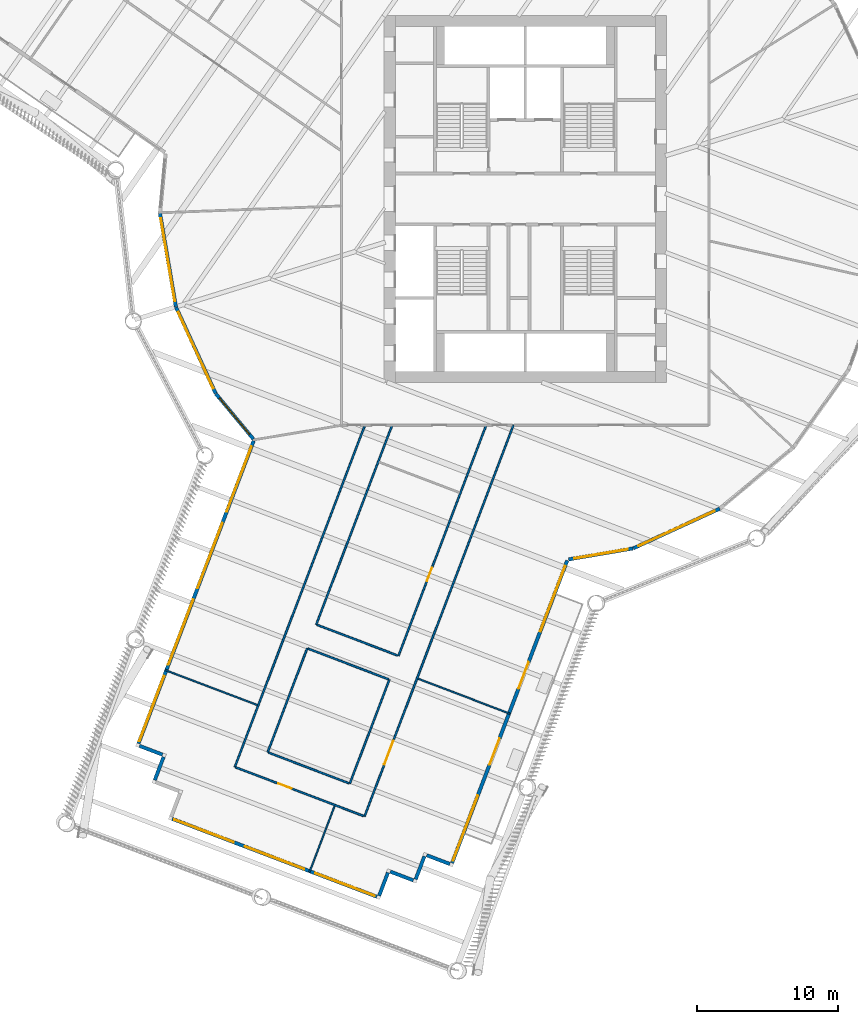
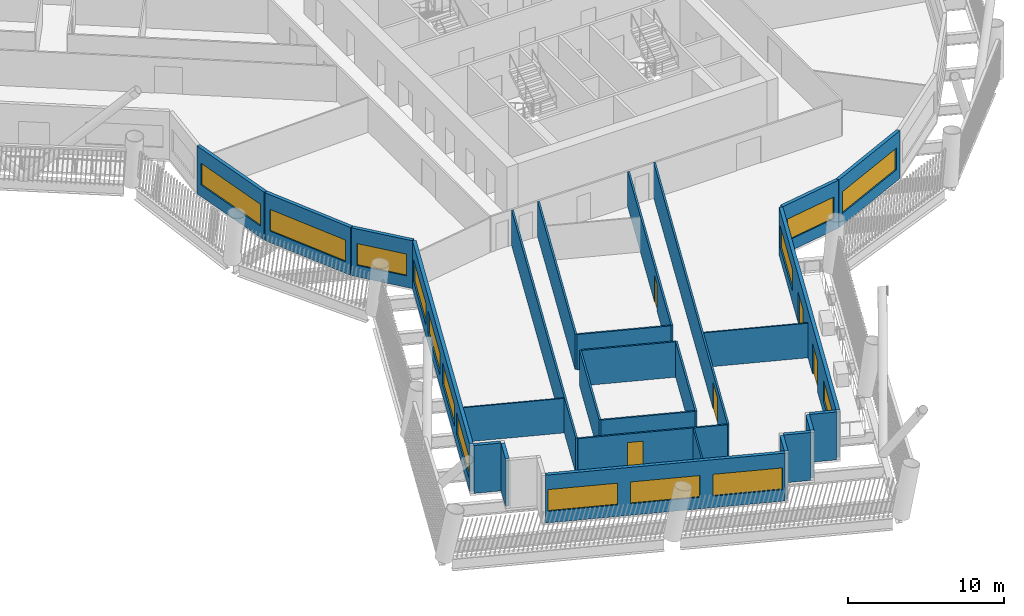
# One storey, part 3 of 23: 27 walls, 14 windows, 5 doors, 19 openings.
"""IFC4 building model written with IfcOpenShell, lengths in metres."""

from ifc_helpers import new_model, si_unit, direction, frame, frame_2d, origin, place, context, subcontext, project, spatial, rectangle, extrude, material, layer, layer_set, type_object, element, fill, save


model = new_model("IFC4")

# Units and contexts
model_context = context("Model", 3, precision=1e-05, world=origin(), true_north=direction((0.0, 1.0)))
body_context = subcontext(model_context, "Body", "Model", "MODEL_VIEW")
ifc_project = project(units=[si_unit("LENGTHUNIT", "METRE"), si_unit("AREAUNIT", "SQUARE_METRE"), si_unit("VOLUMEUNIT", "CUBIC_METRE"), si_unit("PLANEANGLEUNIT", "RADIAN"), si_unit("MASSUNIT", "GRAM", prefix="KILO")], contexts=[model_context])

# Site, building, storey
site_placement = place(None, origin())
site = spatial("IfcSite", under=ifc_project, at=site_placement, CompositionType="ELEMENT")
building_placement = place(site_placement, origin())
building = spatial("IfcBuilding", under=site, at=building_placement, Name="Tarsis Ring Headquarters", CompositionType="ELEMENT")
storey_placement = place(building_placement, frame((0.0, 0.0, 131.800048828125)))
storey = spatial("IfcBuildingStorey", under=building, at=storey_placement, Name="L30", CompositionType="ELEMENT", Elevation=131.800048828125)

# Walls
ifc_material_1 = material(Name="Gypsum board on steel studs", Category="steel")
ifc_layer_1 = layer(ifc_material_1, 0.10009765625)
ifc_layer_set_1 = layer_set([ifc_layer_1], Name="FL partition 100 unrated")
wall_type_1 = type_object("IfcWallType", Name="FL partition 100 unrated", PredefinedType="PARTITIONING", material=ifc_layer_set_1)
for number, where, z_axis, x_axis, name in (
    (1, (-7.591064453125, -33.939697265625, 0.0), (0.0, 0.0, 1.0), (0.934575931288, -0.355763725886, 0.0), "Partition PW3"),
    (2, (-25.473388671875, -33.327880859375, 0.0), (0.0, 0.0, 1.0), (0.934575931288, -0.355763725886, 0.0), "Partition PW3"),
):
    element("IfcWall", number, at=place(storey_placement, frame(where, z_axis=z_axis, x_axis=x_axis)), inside=storey, type_object=wall_type_1, Name=name, PredefinedType="PARTITIONING", context=body_context, shape_type="SweptSolid", body=[
        extrude(rectangle(XDim=6.97021484375, YDim=0.10009765625, at=frame_2d((3.485107421875, 0.0))), origin(), (0.0, 0.0, 1.0), 2.699951171875),
    ])
wall_1_placement = place(storey_placement, frame((-15.27490234375, -47.632080078125, 0.0), z_axis=(0.0, 0.0, 1.0), x_axis=(0.355770391959, 0.934573393697, 0.0)))
element("IfcWall", 3, at=wall_1_placement, inside=storey, type_object=wall_type_1, Name="Partition PW3", PredefinedType="PARTITIONING", context=body_context, shape_type="SweptSolid", body=[
    extrude(rectangle(XDim=5.01025390625, YDim=0.10009765625, at=frame_2d((2.505126953125, 0.0))), origin(), (0.0, 0.0, 1.0), 2.699951171875),
])

# Wall, opening, door
ifc_layer_2 = layer(ifc_material_1, 0.125)
ifc_layer_set_2 = layer_set([ifc_layer_2], Name="FL partition 125 EI 60 H2770")
wall_type_2 = type_object("IfcWallType", Name="FL partition 125 EI 60 H2770", PredefinedType="PARTITIONING", material=ifc_layer_set_2)
wall_2_placement = place(storey_placement, frame((-11.374267578125, -43.681396484375, 0.0), z_axis=(0.0, 0.0, 1.0), x_axis=(0.355761208712, 0.934576889494, 0.0)))
wall_2 = element("IfcWall", 4, at=wall_2_placement, inside=storey, type_object=wall_type_2, Name="Partition PW1", PredefinedType="PARTITIONING", context=body_context, shape_type="SweptSolid", body=[
    extrude(rectangle(XDim=29.619140625, YDim=0.125, at=frame_2d((14.8095703125, 0.0))), origin(), (0.0, 0.0, 1.0), 2.77001953125),
])
opening_1_placement = place(wall_2_placement, frame((3.93505859375, 0.0, 0.0)))
opening_1 = element("IfcOpeningElement", 5, at=opening_1_placement, cuts=wall_2, Name="Opening D30.10", PredefinedType="OPENING", context=body_context, shape_type="SweptSolid", body=[
    extrude(rectangle(XDim=1.800048828125, YDim=2.10009765625, at=frame_2d((0.89990234375, 1.050048828125))), frame((0.0, 0.072509765625, 0.0), z_axis=(0.0, -1.0, 0.0), x_axis=(1.0, 0.0, 0.0)), (0.0, 0.0, 1.0), 0.14501953125),
])
ifc_material_2 = material(Name="Fire-rated timber door leaf in steel frame", Category="steel")
door_type_1 = type_object("IfcDoorType", Name="FL door FD60-1800", OperationType="DOUBLE_DOOR_SINGLE_SWING", PredefinedType="DOOR", material=ifc_material_2)
door_1_placement = place(opening_1_placement, origin())
door_1 = element("IfcDoor", 6, at=door_1_placement, inside=storey, type_object=door_type_1, Name="Door D30.10", OperationType="DOUBLE_DOOR_SINGLE_SWING", OverallHeight=2.10009765625, OverallWidth=1.800048828125, PredefinedType="DOOR", context=body_context, shape_type="SweptSolid", body=[
    extrude(rectangle(XDim=1.800048828125, YDim=2.10009765625, at=frame_2d((0.89990234375, 1.050048828125))), frame((0.0, 0.02490234375, 0.0), z_axis=(0.0, -1.0, 0.0), x_axis=(1.0, 0.0, 0.0)), (0.0, 0.0, 1.0), 0.050048828125),
])
fill(opening_1, door_1)

# Wall
wall_3_placement = place(storey_placement, frame((-20.5517578125, -40.187744140625, 0.0), z_axis=(0.0, 0.0, 1.0), x_axis=(0.355759617021, 0.934577495394, 0.0)))
element("IfcWall", 7, at=wall_3_placement, inside=storey, type_object=wall_type_2, Name="Partition PW1", PredefinedType="PARTITIONING", context=body_context, shape_type="SweptSolid", body=[
    extrude(rectangle(XDim=25.801025390625, YDim=0.125, at=frame_2d((12.900390625, 0.0))), origin(), (0.0, 0.0, 1.0), 2.77001953125),
])

# Wall, opening, door
wall_4_placement = place(storey_placement, frame((-8.975830078125, -32.3212890625, 0.0), z_axis=(0.0, 0.0, 1.0), x_axis=(0.355751781997, 0.934580477865, 0.0)))
wall_4 = element("IfcWall", 8, at=wall_4_placement, inside=storey, type_object=wall_type_2, Name="Partition PW1", PredefinedType="PARTITIONING", context=body_context, shape_type="SweptSolid", body=[
    extrude(rectangle(XDim=17.3837890625, YDim=0.125, at=frame_2d((8.69189453125, 0.0))), origin(), (0.0, 0.0, 1.0), 2.77001953125),
])
opening_2_placement = place(wall_4_placement, frame((5.6640625, 0.0, 0.0)))
opening_2 = element("IfcOpeningElement", 9, at=opening_2_placement, cuts=wall_4, Name="Opening D30.18", PredefinedType="OPENING", context=body_context, shape_type="SweptSolid", body=[
    extrude(rectangle(XDim=1.0, YDim=2.10009765625, at=frame_2d((0.5, 1.050048828125))), frame((0.0, 0.072509765625, 0.0), z_axis=(0.0, -1.0, 0.0), x_axis=(1.0, 0.0, 0.0)), (0.0, 0.0, 1.0), 0.14501953125),
])
door_type_2 = type_object("IfcDoorType", Name="FL door FD60-1000", OperationType="NOTDEFINED", PredefinedType="DOOR", material=ifc_material_2)
door_2_placement = place(opening_2_placement, origin())
door_2 = element("IfcDoor", 10, at=door_2_placement, inside=storey, type_object=door_type_2, Name="Door D30.18", OperationType="SINGLE_SWING_RIGHT", OverallHeight=2.10009765625, OverallWidth=1.0, PredefinedType="DOOR", context=body_context, shape_type="SweptSolid", body=[
    extrude(rectangle(XDim=1.0, YDim=2.10009765625, at=frame_2d((0.5, 1.050048828125))), frame((0.0, 0.02490234375, 0.0), z_axis=(0.0, -1.0, 0.0), x_axis=(1.0, 0.0, 0.0)), (0.0, 0.0, 1.0), 0.050048828125),
])
fill(opening_2, door_2)

# Wall
wall_5_placement = place(storey_placement, frame((-14.788818359375, -30.1083984375, 0.0), z_axis=(0.0, 0.0, 1.0), x_axis=(0.35575529969, 0.934579138833, 0.0)))
element("IfcWall", 11, at=wall_5_placement, inside=storey, type_object=wall_type_2, Name="Partition PW1", PredefinedType="PARTITIONING", context=body_context, shape_type="SweptSolid", body=[
    extrude(rectangle(XDim=15.01611328125, YDim=0.125, at=frame_2d((7.508056640625, 0.0))), origin(), (0.0, 0.0, 1.0), 2.77001953125),
])

# Wall, opening, door
wall_6_placement = place(storey_placement, frame((-20.49560546875, -40.208984375, 0.0), z_axis=(0.0, 0.0, 1.0), x_axis=(0.934575822771, -0.355764010957, 0.0)))
wall_6 = element("IfcWall", 12, at=wall_6_placement, inside=storey, type_object=wall_type_2, Name="Partition PW1", PredefinedType="PARTITIONING", context=body_context, shape_type="SweptSolid", body=[
    extrude(rectangle(XDim=9.699951171875, YDim=0.125, at=frame_2d((4.85009765625, 0.0))), origin(), (0.0, 0.0, 1.0), 2.77001953125),
])
opening_3_placement = place(wall_6_placement, frame((3.228271484375, 0.0, 0.0)))
opening_3 = element("IfcOpeningElement", 13, at=opening_3_placement, cuts=wall_6, Name="Opening D30.11", PredefinedType="OPENING", context=body_context, shape_type="SweptSolid", body=[
    extrude(rectangle(XDim=1.0, YDim=2.10009765625, at=frame_2d((0.5, 1.050048828125))), frame((0.0, 0.072509765625, 0.0), z_axis=(0.0, -1.0, 0.0), x_axis=(1.0, 0.0, 0.0)), (0.0, 0.0, 1.0), 0.14501953125),
])
door_3_placement = place(opening_3_placement, origin())
door_3 = element("IfcDoor", 14, at=door_3_placement, inside=storey, type_object=door_type_2, Name="Door D30.11", OperationType="SINGLE_SWING_LEFT", OverallHeight=2.10009765625, OverallWidth=1.0, PredefinedType="DOOR", context=body_context, shape_type="SweptSolid", body=[
    extrude(rectangle(XDim=1.0, YDim=2.10009765625, at=frame_2d((0.5, 1.050048828125))), frame((0.0, 0.02490234375, 0.0), z_axis=(0.0, -1.0, 0.0), x_axis=(1.0, 0.0, 0.0)), (0.0, 0.0, 1.0), 0.050048828125),
])
fill(opening_3, door_3)

# Walls
wall_7_placement = place(storey_placement, frame((-18.22900390625, -39.145751953125, 0.0), z_axis=(0.0, 0.0, 1.0), x_axis=(0.355763110487, 0.934576165551, 0.0)))
element("IfcWall", 15, at=wall_7_placement, inside=storey, type_object=wall_type_2, Name="Partition PW1", PredefinedType="PARTITIONING", context=body_context, shape_type="SweptSolid", body=[
    extrude(rectangle(XDim=7.869873046875, YDim=0.125, at=frame_2d((3.93505859375, 0.0))), origin(), (0.0, 0.0, 1.0), 2.77001953125),
])
wall_8_placement = place(storey_placement, frame((-12.416015625, -41.358642578125, 0.0), z_axis=(0.0, 0.0, 1.0), x_axis=(0.355752796249, 0.934580091785, 0.0)))
element("IfcWall", 16, at=wall_8_placement, inside=storey, type_object=wall_type_2, Name="Partition PW1", PredefinedType="PARTITIONING", context=body_context, shape_type="SweptSolid", body=[
    extrude(rectangle(XDim=7.8701171875, YDim=0.125, at=frame_2d((3.93505859375, 0.0))), origin(), (0.0, 0.0, 1.0), 2.77001953125),
])
for number, where, z_axis, x_axis, name in (
    (17, (-15.373291015625, -31.81201171875, 0.0), (0.0, 0.0, 1.0), (0.934575836031, -0.355763976124, 0.0), "Partition PW1"),
    (18, (-14.73291015625, -30.1298828125, 0.0), (0.0, 0.0, 1.0), (0.934575836031, -0.355763976124, 0.0), "Partition PW1"),
    (19, (-18.173095703125, -39.167236328125, 0.0), (0.0, 0.0, 1.0), (0.934575836031, -0.355763976124, 0.0), "Partition PW1"),
):
    element("IfcWall", number, at=place(storey_placement, frame(where, z_axis=z_axis, x_axis=x_axis)), inside=storey, type_object=wall_type_2, Name=name, PredefinedType="PARTITIONING", context=body_context, shape_type="SweptSolid", body=[
        extrude(rectangle(XDim=6.10009765625, YDim=0.125, at=frame_2d((3.050048828125, 0.0))), origin(), (0.0, 0.0, 1.0), 2.77001953125),
    ])

# Wall, opening, window
ifc_material_3 = material(Name="Terracotta clad insulated panel wall", Category="masonry")
ifc_layer_3 = layer(ifc_material_3, 0.25)
ifc_layer_set_3 = layer_set([ifc_layer_3], Name="Facade wall terracotta panel 250")
wall_type_3 = type_object("IfcWallType", Name="Facade wall terracotta panel 250", PredefinedType="STANDARD", material=ifc_layer_set_3)
wall_9_placement = place(storey_placement, frame((-25.852783203125, -0.991455078125, 0.0), z_axis=(0.0, 0.0, 1.0), x_axis=(0.167808360666, -0.985819635679, 0.0)))
wall_9 = element("IfcWall", 20, at=wall_9_placement, inside=storey, type_object=wall_type_3, Name="External wall L30-03", PredefinedType="STANDARD", context=body_context, shape_type="SweptSolid", body=[
    extrude(rectangle(XDim=6.721435546875, YDim=0.25, at=frame_2d((3.36083984375, 0.0))), origin(), (0.0, 0.0, 1.0), 3.739990234375),
])
opening_4_placement = place(wall_9_placement, frame((0.3857421875, 0.0, 0.89990234375)))
opening_4 = element("IfcOpeningElement", 21, at=opening_4_placement, cuts=wall_9, Name="Opening WN07", PredefinedType="OPENING", context=body_context, shape_type="SweptSolid", body=[
    extrude(rectangle(XDim=5.949951171875, YDim=1.699951171875, at=frame_2d((2.97509765625, 0.85009765625))), frame((0.0, 0.135009765625, 0.0), z_axis=(0.0, -1.0, 0.0), x_axis=(1.0, 0.0, 0.0)), (0.0, 0.0, 1.0), 0.27001953125),
])
ifc_material_4 = material(Name="Aluminium framed double glazing", Category="aluminium")
window_type_1 = type_object("IfcWindowType", Name="Facade window 5950 x 1700", PartitioningType="SINGLE_PANEL", PredefinedType="WINDOW", material=ifc_material_4)
window_1_placement = place(opening_4_placement, origin())
window_1 = element("IfcWindow", 22, at=window_1_placement, inside=storey, type_object=window_type_1, Name="Window L30-03.1", OverallHeight=1.699951171875, OverallWidth=5.949951171875, PartitioningType="SINGLE_PANEL", PredefinedType="WINDOW", context=body_context, shape_type="SweptSolid", body=[
    extrude(rectangle(XDim=5.949951171875, YDim=1.699951171875, at=frame_2d((2.97509765625, 0.85009765625))), frame((0.0, 0.030029296875, 0.0), z_axis=(0.0, -1.0, 0.0), x_axis=(1.0, 0.0, 0.0)), (0.0, 0.0, 1.0), 0.06005859375),
])
fill(opening_4, window_1)

wall_10_placement = place(storey_placement, frame((-24.71533203125, -7.64892578125, 0.0), z_axis=(0.0, 0.0, 1.0), x_axis=(0.417239957903, -0.908796356468, 0.0)))
wall_10 = element("IfcWall", 23, at=wall_10_placement, inside=storey, type_object=wall_type_3, Name="External wall L30-04", PredefinedType="STANDARD", context=body_context, shape_type="SweptSolid", body=[
    extrude(rectangle(XDim=6.721435546875, YDim=0.25, at=frame_2d((3.36083984375, 0.0))), origin(), (0.0, 0.0, 1.0), 3.739990234375),
])
opening_5_placement = place(wall_10_placement, frame((0.3857421875, 0.0, 0.89990234375)))
opening_5 = element("IfcOpeningElement", 24, at=opening_5_placement, cuts=wall_10, Name="Opening WN07", PredefinedType="OPENING", context=body_context, shape_type="SweptSolid", body=[
    extrude(rectangle(XDim=5.949951171875, YDim=1.699951171875, at=frame_2d((2.97509765625, 0.85009765625))), frame((0.0, 0.135009765625, 0.0), z_axis=(0.0, -1.0, 0.0), x_axis=(1.0, 0.0, 0.0)), (0.0, 0.0, 1.0), 0.27001953125),
])
window_2_placement = place(opening_5_placement, origin())
window_2 = element("IfcWindow", 25, at=window_2_placement, inside=storey, type_object=window_type_1, Name="Window L30-04.1", OverallHeight=1.699951171875, OverallWidth=5.949951171875, PartitioningType="SINGLE_PANEL", PredefinedType="WINDOW", context=body_context, shape_type="SweptSolid", body=[
    extrude(rectangle(XDim=5.949951171875, YDim=1.699951171875, at=frame_2d((2.97509765625, 0.85009765625))), frame((0.0, 0.030029296875, 0.0), z_axis=(0.0, -1.0, 0.0), x_axis=(1.0, 0.0, 0.0)), (0.0, 0.0, 1.0), 0.06005859375),
])
fill(opening_5, window_2)

wall_11_placement = place(storey_placement, frame((-21.8935546875, -13.784912109375, 0.0), z_axis=(0.0, 0.0, 1.0), x_axis=(0.638241666515, -0.769836070293, 0.0)))
wall_11 = element("IfcWall", 26, at=wall_11_placement, inside=storey, type_object=wall_type_3, Name="External wall L30-05", PredefinedType="STANDARD", context=body_context, shape_type="SweptSolid", body=[
    extrude(rectangle(XDim=4.15771484375, YDim=0.25, at=frame_2d((2.078857421875, 0.0))), origin(), (0.0, 0.0, 1.0), 3.739990234375),
])
opening_6_placement = place(wall_11_placement, frame((0.38720703125, 0.0, 0.89990234375)))
opening_6 = element("IfcOpeningElement", 27, at=opening_6_placement, cuts=wall_11, Name="Opening WN01", PredefinedType="OPENING", context=body_context, shape_type="SweptSolid", body=[
    extrude(rectangle(XDim=3.35009765625, YDim=1.699951171875, at=frame_2d((1.675048828125, 0.85009765625))), frame((0.0, 0.135009765625, 0.0), z_axis=(0.0, -1.0, 0.0), x_axis=(1.0, 0.0, 0.0)), (0.0, 0.0, 1.0), 0.27001953125),
])
window_type_2 = type_object("IfcWindowType", Name="Facade window 3350 x 1700", PartitioningType="SINGLE_PANEL", PredefinedType="WINDOW", material=ifc_material_4)
window_3_placement = place(opening_6_placement, origin())
window_3 = element("IfcWindow", 28, at=window_3_placement, inside=storey, type_object=window_type_2, Name="Window L30-05.1", OverallHeight=1.699951171875, OverallWidth=3.35009765625, PartitioningType="SINGLE_PANEL", PredefinedType="WINDOW", context=body_context, shape_type="SweptSolid", body=[
    extrude(rectangle(XDim=3.35009765625, YDim=1.699951171875, at=frame_2d((1.675048828125, 0.85009765625))), frame((0.0, 0.030029296875, 0.0), z_axis=(0.0, -1.0, 0.0), x_axis=(1.0, 0.0, 0.0)), (0.0, 0.0, 1.0), 0.06005859375),
])
fill(opening_6, window_3)

# Wall, openings, windows
wall_12_placement = place(storey_placement, frame((-19.219482421875, -17.10986328125, 0.0), z_axis=(0.0, 0.0, 1.0), x_axis=(-0.355753042974, -0.934579997868, 0.0)))
wall_12 = element("IfcWall", 29, at=wall_12_placement, inside=storey, type_object=wall_type_3, Name="External wall L30-06", PredefinedType="STANDARD", context=body_context, shape_type="SweptSolid", body=[
    extrude(rectangle(XDim=22.921875, YDim=0.25, at=frame_2d((11.4609375, 0.0))), origin(), (0.0, 0.0, 1.0), 3.739990234375),
])
opening_7_placement = place(wall_12_placement, frame((0.42138671875, 0.0, 0.89990234375)))
opening_7 = element("IfcOpeningElement", 30, at=opening_7_placement, cuts=wall_12, Name="Opening WN05", PredefinedType="OPENING", context=body_context, shape_type="SweptSolid", body=[
    extrude(rectangle(XDim=4.949951171875, YDim=1.699951171875, at=frame_2d((2.47509765625, 0.85009765625))), frame((0.0, 0.135009765625, 0.0), z_axis=(0.0, -1.0, 0.0), x_axis=(1.0, 0.0, 0.0)), (0.0, 0.0, 1.0), 0.27001953125),
])
opening_8_placement = place(wall_12_placement, frame((6.214599609375, 0.0, 0.89990234375)))
opening_8 = element("IfcOpeningElement", 31, at=opening_8_placement, cuts=wall_12, Name="Opening WN05", PredefinedType="OPENING", context=body_context, shape_type="SweptSolid", body=[
    extrude(rectangle(XDim=4.949951171875, YDim=1.699951171875, at=frame_2d((2.47509765625, 0.85009765625))), frame((0.0, 0.135009765625, 0.0), z_axis=(0.0, -1.0, 0.0), x_axis=(1.0, 0.0, 0.0)), (0.0, 0.0, 1.0), 0.27001953125),
])
opening_9_placement = place(wall_12_placement, frame((12.007568359375, 0.0, 0.89990234375)))
opening_9 = element("IfcOpeningElement", 32, at=opening_9_placement, cuts=wall_12, Name="Opening WN05", PredefinedType="OPENING", context=body_context, shape_type="SweptSolid", body=[
    extrude(rectangle(XDim=4.949951171875, YDim=1.699951171875, at=frame_2d((2.47509765625, 0.85009765625))), frame((0.0, 0.135009765625, 0.0), z_axis=(0.0, -1.0, 0.0), x_axis=(1.0, 0.0, 0.0)), (0.0, 0.0, 1.0), 0.27001953125),
])
opening_10_placement = place(wall_12_placement, frame((17.800537109375, 0.0, 0.89990234375)))
opening_10 = element("IfcOpeningElement", 33, at=opening_10_placement, cuts=wall_12, Name="Opening WN05", PredefinedType="OPENING", context=body_context, shape_type="SweptSolid", body=[
    extrude(rectangle(XDim=4.949951171875, YDim=1.699951171875, at=frame_2d((2.47509765625, 0.85009765625))), frame((0.0, 0.135009765625, 0.0), z_axis=(0.0, -1.0, 0.0), x_axis=(1.0, 0.0, 0.0)), (0.0, 0.0, 1.0), 0.27001953125),
])
window_type_3 = type_object("IfcWindowType", Name="Facade window 4950 x 1700", PartitioningType="SINGLE_PANEL", PredefinedType="WINDOW", material=ifc_material_4)
window_4_placement = place(opening_7_placement, origin())
window_4 = element("IfcWindow", 34, at=window_4_placement, inside=storey, type_object=window_type_3, Name="Window L30-06.1", OverallHeight=1.699951171875, OverallWidth=4.949951171875, PartitioningType="SINGLE_PANEL", PredefinedType="WINDOW", context=body_context, shape_type="SweptSolid", body=[
    extrude(rectangle(XDim=4.949951171875, YDim=1.699951171875, at=frame_2d((2.47509765625, 0.85009765625))), frame((0.0, 0.030029296875, 0.0), z_axis=(0.0, -1.0, 0.0), x_axis=(1.0, 0.0, 0.0)), (0.0, 0.0, 1.0), 0.06005859375),
])
fill(opening_7, window_4)
window_5_placement = place(opening_8_placement, origin())
window_5 = element("IfcWindow", 35, at=window_5_placement, inside=storey, type_object=window_type_3, Name="Window L30-06.2", OverallHeight=1.699951171875, OverallWidth=4.949951171875, PartitioningType="SINGLE_PANEL", PredefinedType="WINDOW", context=body_context, shape_type="SweptSolid", body=[
    extrude(rectangle(XDim=4.949951171875, YDim=1.699951171875, at=frame_2d((2.47509765625, 0.85009765625))), frame((0.0, 0.030029296875, 0.0), z_axis=(0.0, -1.0, 0.0), x_axis=(1.0, 0.0, 0.0)), (0.0, 0.0, 1.0), 0.06005859375),
])
fill(opening_8, window_5)
window_6_placement = place(opening_9_placement, origin())
window_6 = element("IfcWindow", 36, at=window_6_placement, inside=storey, type_object=window_type_3, Name="Window L30-06.3", OverallHeight=1.699951171875, OverallWidth=4.949951171875, PartitioningType="SINGLE_PANEL", PredefinedType="WINDOW", context=body_context, shape_type="SweptSolid", body=[
    extrude(rectangle(XDim=4.949951171875, YDim=1.699951171875, at=frame_2d((2.47509765625, 0.85009765625))), frame((0.0, 0.030029296875, 0.0), z_axis=(0.0, -1.0, 0.0), x_axis=(1.0, 0.0, 0.0)), (0.0, 0.0, 1.0), 0.06005859375),
])
fill(opening_9, window_6)
window_7_placement = place(opening_10_placement, origin())
window_7 = element("IfcWindow", 37, at=window_7_placement, inside=storey, type_object=window_type_3, Name="Window L30-06.4", OverallHeight=1.699951171875, OverallWidth=4.949951171875, PartitioningType="SINGLE_PANEL", PredefinedType="WINDOW", context=body_context, shape_type="SweptSolid", body=[
    extrude(rectangle(XDim=4.949951171875, YDim=1.699951171875, at=frame_2d((2.47509765625, 0.85009765625))), frame((0.0, 0.030029296875, 0.0), z_axis=(0.0, -1.0, 0.0), x_axis=(1.0, 0.0, 0.0)), (0.0, 0.0, 1.0), 0.06005859375),
])
fill(opening_10, window_7)

# Walls
for number, where, z_axis, x_axis, name in (
    (38, (-27.3017578125, -38.693603515625, 0.0), (0.0, 0.0, 1.0), (0.934580525959, -0.35575165565, 0.0), "External wall L30-07"),
    (39, (-25.593994140625, -39.4775390625, 0.0), (0.0, 0.0, 1.0), (-0.35575165565, -0.934580525959, 0.0), "External wall L30-08"),
):
    element("IfcWall", number, at=place(storey_placement, frame(where, z_axis=z_axis, x_axis=x_axis)), inside=storey, type_object=wall_type_3, Name=name, PredefinedType="STANDARD", context=body_context, shape_type="SweptSolid", body=[
        extrude(rectangle(XDim=1.75, YDim=0.25, at=frame_2d((0.875, 0.0))), origin(), (0.0, 0.0, 1.0), 3.739990234375),
    ])

# Wall, openings, windows
wall_13_placement = place(storey_placement, frame((-24.986572265625, -43.85498046875, 0.0), z_axis=(0.0, 0.0, 1.0), x_axis=(0.934581023142, -0.355750349519, 0.0)))
wall_13 = element("IfcWall", 40, at=wall_13_placement, inside=storey, type_object=wall_type_3, Name="External wall L30-11", PredefinedType="STANDARD", context=body_context, shape_type="SweptSolid", body=[
    extrude(rectangle(XDim=15.5, YDim=0.25, at=frame_2d((7.75, 0.0))), origin(), (0.0, 0.0, 1.0), 3.739990234375),
])
opening_11_placement = place(wall_13_placement, frame((0.166748046875, 0.0, 0.89990234375)))
opening_11 = element("IfcOpeningElement", 41, at=opening_11_placement, cuts=wall_13, Name="Opening WN04", PredefinedType="OPENING", context=body_context, shape_type="SweptSolid", body=[
    extrude(rectangle(XDim=4.5, YDim=1.699951171875, at=frame_2d((2.25, 0.85009765625))), frame((0.0, 0.135009765625, 0.0), z_axis=(0.0, -1.0, 0.0), x_axis=(1.0, 0.0, 0.0)), (0.0, 0.0, 1.0), 0.27001953125),
])
opening_12_placement = place(wall_13_placement, frame((5.5, 0.0, 0.89990234375)))
opening_12 = element("IfcOpeningElement", 42, at=opening_12_placement, cuts=wall_13, Name="Opening WN04", PredefinedType="OPENING", context=body_context, shape_type="SweptSolid", body=[
    extrude(rectangle(XDim=4.5, YDim=1.699951171875, at=frame_2d((2.25, 0.85009765625))), frame((0.0, 0.135009765625, 0.0), z_axis=(0.0, -1.0, 0.0), x_axis=(1.0, 0.0, 0.0)), (0.0, 0.0, 1.0), 0.27001953125),
])
opening_13_placement = place(wall_13_placement, frame((10.833251953125, 0.0, 0.89990234375)))
opening_13 = element("IfcOpeningElement", 43, at=opening_13_placement, cuts=wall_13, Name="Opening WN04", PredefinedType="OPENING", context=body_context, shape_type="SweptSolid", body=[
    extrude(rectangle(XDim=4.5, YDim=1.699951171875, at=frame_2d((2.25, 0.85009765625))), frame((0.0, 0.135009765625, 0.0), z_axis=(0.0, -1.0, 0.0), x_axis=(1.0, 0.0, 0.0)), (0.0, 0.0, 1.0), 0.27001953125),
])
window_type_4 = type_object("IfcWindowType", Name="Facade window 4500 x 1700", PartitioningType="SINGLE_PANEL", PredefinedType="WINDOW", material=ifc_material_4)
window_8_placement = place(opening_11_placement, origin())
window_8 = element("IfcWindow", 44, at=window_8_placement, inside=storey, type_object=window_type_4, Name="Window L30-11.1", OverallHeight=1.699951171875, OverallWidth=4.5, PartitioningType="SINGLE_PANEL", PredefinedType="WINDOW", context=body_context, shape_type="SweptSolid", body=[
    extrude(rectangle(XDim=4.5, YDim=1.699951171875, at=frame_2d((2.25, 0.85009765625))), frame((0.0, 0.030029296875, 0.0), z_axis=(0.0, -1.0, 0.0), x_axis=(1.0, 0.0, 0.0)), (0.0, 0.0, 1.0), 0.06005859375),
])
fill(opening_11, window_8)
window_9_placement = place(opening_12_placement, origin())
window_9 = element("IfcWindow", 45, at=window_9_placement, inside=storey, type_object=window_type_4, Name="Window L30-11.2", OverallHeight=1.699951171875, OverallWidth=4.5, PartitioningType="SINGLE_PANEL", PredefinedType="WINDOW", context=body_context, shape_type="SweptSolid", body=[
    extrude(rectangle(XDim=4.5, YDim=1.699951171875, at=frame_2d((2.25, 0.85009765625))), frame((0.0, 0.030029296875, 0.0), z_axis=(0.0, -1.0, 0.0), x_axis=(1.0, 0.0, 0.0)), (0.0, 0.0, 1.0), 0.06005859375),
])
fill(opening_12, window_9)
window_10_placement = place(opening_13_placement, origin())
window_10 = element("IfcWindow", 46, at=window_10_placement, inside=storey, type_object=window_type_4, Name="Window L30-11.3", OverallHeight=1.699951171875, OverallWidth=4.5, PartitioningType="SINGLE_PANEL", PredefinedType="WINDOW", context=body_context, shape_type="SweptSolid", body=[
    extrude(rectangle(XDim=4.5, YDim=1.699951171875, at=frame_2d((2.25, 0.85009765625))), frame((0.0, 0.030029296875, 0.0), z_axis=(0.0, -1.0, 0.0), x_axis=(1.0, 0.0, 0.0)), (0.0, 0.0, 1.0), 0.06005859375),
])
fill(opening_13, window_10)

# Walls
for number, where, z_axis, x_axis, name in (
    (47, (-10.33935546875, -49.296875, 0.0), (0.0, 0.0, 1.0), (0.355873500694, 0.934534136083, 0.0), "External wall L30-12"),
    (48, (-9.555419921875, -47.5888671875, 0.0), (0.0, 0.0, 1.0), (0.934534136083, -0.355873500694, 0.0), "External wall L30-13"),
    (49, (-7.758544921875, -48.13916015625, 0.0), (0.0, 0.0, 1.0), (0.35575165565, 0.934580525959, 0.0), "External wall L30-14"),
    (50, (-6.974609375, -46.431396484375, 0.0), (0.0, 0.0, 1.0), (0.934580525959, -0.35575165565, 0.0), "External wall L30-15"),
):
    element("IfcWall", number, at=place(storey_placement, frame(where, z_axis=z_axis, x_axis=x_axis)), inside=storey, type_object=wall_type_3, Name=name, PredefinedType="STANDARD", context=body_context, shape_type="SweptSolid", body=[
        extrude(rectangle(XDim=1.75, YDim=0.25, at=frame_2d((0.875, 0.0))), origin(), (0.0, 0.0, 1.0), 3.739990234375),
    ])

# Wall, openings, doors, windows
wall_14_placement = place(storey_placement, frame((-5.177978515625, -46.9814453125, 0.0), z_axis=(0.0, 0.0, 1.0), x_axis=(0.355766567235, 0.934574849671, 0.0)))
wall_14 = element("IfcWall", 51, at=wall_14_placement, inside=storey, type_object=wall_type_3, Name="External wall L30-16", PredefinedType="STANDARD", context=body_context, shape_type="SweptSolid", body=[
    extrude(rectangle(XDim=22.901123046875, YDim=0.25, at=frame_2d((11.45068359375, 0.0))), origin(), (0.0, 0.0, 1.0), 3.739990234375),
])
opening_14_placement = place(wall_14_placement, frame((0.1689453125, 0.0, 0.89990234375)))
opening_14 = element("IfcOpeningElement", 52, at=opening_14_placement, cuts=wall_14, Name="Opening WN05", PredefinedType="OPENING", context=body_context, shape_type="SweptSolid", body=[
    extrude(rectangle(XDim=4.949951171875, YDim=1.699951171875, at=frame_2d((2.47509765625, 0.85009765625))), frame((0.0, 0.135009765625, 0.0), z_axis=(0.0, -1.0, 0.0), x_axis=(1.0, 0.0, 0.0)), (0.0, 0.0, 1.0), 0.27001953125),
])
opening_15_placement = place(wall_14_placement, frame((7.431640625, 0.0, 0.0)))
opening_15 = element("IfcOpeningElement", 53, at=opening_15_placement, cuts=wall_14, Name="Opening L30-BD03", PredefinedType="OPENING", context=body_context, shape_type="SweptSolid", body=[
    extrude(rectangle(XDim=2.0, YDim=2.39990234375, at=frame_2d((1.0, 1.199951171875))), frame((0.0, 0.135009765625, 0.0), z_axis=(0.0, -1.0, 0.0), x_axis=(1.0, 0.0, 0.0)), (0.0, 0.0, 1.0), 0.27001953125),
])
opening_16_placement = place(wall_14_placement, frame((13.219482421875, 0.0, 0.0)))
opening_16 = element("IfcOpeningElement", 54, at=opening_16_placement, cuts=wall_14, Name="Opening L30-BD04", PredefinedType="OPENING", context=body_context, shape_type="SweptSolid", body=[
    extrude(rectangle(XDim=2.0, YDim=2.39990234375, at=frame_2d((1.0, 1.199951171875))), frame((0.0, 0.135009765625, 0.0), z_axis=(0.0, -1.0, 0.0), x_axis=(1.0, 0.0, 0.0)), (0.0, 0.0, 1.0), 0.27001953125),
])
opening_17_placement = place(wall_14_placement, frame((17.532470703125, 0.0, 0.89990234375)))
opening_17 = element("IfcOpeningElement", 55, at=opening_17_placement, cuts=wall_14, Name="Opening WN05", PredefinedType="OPENING", context=body_context, shape_type="SweptSolid", body=[
    extrude(rectangle(XDim=4.949951171875, YDim=1.699951171875, at=frame_2d((2.47509765625, 0.85009765625))), frame((0.0, 0.135009765625, 0.0), z_axis=(0.0, -1.0, 0.0), x_axis=(1.0, 0.0, 0.0)), (0.0, 0.0, 1.0), 0.27001953125),
])
door_type_3 = type_object("IfcDoorType", Name="Balcony sliding door 2000 x 2400", OperationType="SLIDING_TO_LEFT", PredefinedType="DOOR", material=ifc_material_4)
door_4_placement = place(opening_15_placement, origin())
door_4 = element("IfcDoor", 56, at=door_4_placement, inside=storey, type_object=door_type_3, Name="Door L30-BD03", OperationType="SINGLE_SWING_LEFT", OverallHeight=2.39990234375, OverallWidth=2.0, PredefinedType="DOOR", context=body_context, shape_type="SweptSolid", body=[
    extrude(rectangle(XDim=2.0, YDim=2.39990234375, at=frame_2d((1.0, 1.199951171875))), frame((0.0, 0.02490234375, 0.0), z_axis=(0.0, -1.0, 0.0), x_axis=(1.0, 0.0, 0.0)), (0.0, 0.0, 1.0), 0.050048828125),
])
fill(opening_15, door_4)
door_5_placement = place(opening_16_placement, origin())
door_5 = element("IfcDoor", 57, at=door_5_placement, inside=storey, type_object=door_type_3, Name="Door L30-BD04", OperationType="SINGLE_SWING_LEFT", OverallHeight=2.39990234375, OverallWidth=2.0, PredefinedType="DOOR", context=body_context, shape_type="SweptSolid", body=[
    extrude(rectangle(XDim=2.0, YDim=2.39990234375, at=frame_2d((1.0, 1.199951171875))), frame((0.0, 0.02490234375, 0.0), z_axis=(0.0, -1.0, 0.0), x_axis=(1.0, 0.0, 0.0)), (0.0, 0.0, 1.0), 0.050048828125),
])
fill(opening_16, door_5)
window_11_placement = place(opening_14_placement, origin())
window_11 = element("IfcWindow", 58, at=window_11_placement, inside=storey, type_object=window_type_3, Name="Window L30-16.1", OverallHeight=1.699951171875, OverallWidth=4.949951171875, PartitioningType="SINGLE_PANEL", PredefinedType="WINDOW", context=body_context, shape_type="SweptSolid", body=[
    extrude(rectangle(XDim=4.949951171875, YDim=1.699951171875, at=frame_2d((2.47509765625, 0.85009765625))), frame((0.0, 0.030029296875, 0.0), z_axis=(0.0, -1.0, 0.0), x_axis=(1.0, 0.0, 0.0)), (0.0, 0.0, 1.0), 0.06005859375),
])
fill(opening_14, window_11)
window_12_placement = place(opening_17_placement, origin())
window_12 = element("IfcWindow", 59, at=window_12_placement, inside=storey, type_object=window_type_3, Name="Window L30-16.4", OverallHeight=1.699951171875, OverallWidth=4.949951171875, PartitioningType="SINGLE_PANEL", PredefinedType="WINDOW", context=body_context, shape_type="SweptSolid", body=[
    extrude(rectangle(XDim=4.949951171875, YDim=1.699951171875, at=frame_2d((2.47509765625, 0.85009765625))), frame((0.0, 0.030029296875, 0.0), z_axis=(0.0, -1.0, 0.0), x_axis=(1.0, 0.0, 0.0)), (0.0, 0.0, 1.0), 0.06005859375),
])
fill(opening_17, window_12)

# Wall, opening, window
wall_15_placement = place(storey_placement, frame((3.0654296875, -25.499755859375, 0.0), z_axis=(0.0, 0.0, 1.0), x_axis=(0.985819308913, 0.167810280301, 0.0)))
wall_15 = element("IfcWall", 60, at=wall_15_placement, inside=storey, type_object=wall_type_3, Name="External wall L30-17", PredefinedType="STANDARD", context=body_context, shape_type="SweptSolid", body=[
    extrude(rectangle(XDim=4.61767578125, YDim=0.25, at=frame_2d((2.308837890625, 0.0))), origin(), (0.0, 0.0, 1.0), 3.739990234375),
])
opening_18_placement = place(wall_15_placement, frame((0.400390625, 0.0, 0.89990234375)))
opening_18 = element("IfcOpeningElement", 61, at=opening_18_placement, cuts=wall_15, Name="Opening WN02", PredefinedType="OPENING", context=body_context, shape_type="SweptSolid", body=[
    extrude(rectangle(XDim=3.85009765625, YDim=1.699951171875, at=frame_2d((1.925048828125, 0.85009765625))), frame((0.0, 0.135009765625, 0.0), z_axis=(0.0, -1.0, 0.0), x_axis=(1.0, 0.0, 0.0)), (0.0, 0.0, 1.0), 0.27001953125),
])
window_type_5 = type_object("IfcWindowType", Name="Facade window 3850 x 1700", PartitioningType="SINGLE_PANEL", PredefinedType="WINDOW", material=ifc_material_4)
window_13_placement = place(opening_18_placement, origin())
window_13 = element("IfcWindow", 62, at=window_13_placement, inside=storey, type_object=window_type_5, Name="Window L30-17.1", OverallHeight=1.699951171875, OverallWidth=3.85009765625, PartitioningType="SINGLE_PANEL", PredefinedType="WINDOW", context=body_context, shape_type="SweptSolid", body=[
    extrude(rectangle(XDim=3.85009765625, YDim=1.699951171875, at=frame_2d((1.925048828125, 0.85009765625))), frame((0.0, 0.030029296875, 0.0), z_axis=(0.0, -1.0, 0.0), x_axis=(1.0, 0.0, 0.0)), (0.0, 0.0, 1.0), 0.06005859375),
])
fill(opening_18, window_13)

wall_16_placement = place(storey_placement, frame((7.64892578125, -24.71533203125, 0.0), z_axis=(0.0, 0.0, 1.0), x_axis=(0.908796356468, 0.417239957903, 0.0)))
wall_16 = element("IfcWall", 63, at=wall_16_placement, inside=storey, type_object=wall_type_3, Name="External wall L30-18", PredefinedType="STANDARD", context=body_context, shape_type="SweptSolid", body=[
    extrude(rectangle(XDim=6.721435546875, YDim=0.25, at=frame_2d((3.36083984375, 0.0))), origin(), (0.0, 0.0, 1.0), 3.739990234375),
])
opening_19_placement = place(wall_16_placement, frame((0.3857421875, 0.0, 0.89990234375)))
opening_19 = element("IfcOpeningElement", 64, at=opening_19_placement, cuts=wall_16, Name="Opening WN07", PredefinedType="OPENING", context=body_context, shape_type="SweptSolid", body=[
    extrude(rectangle(XDim=5.949951171875, YDim=1.699951171875, at=frame_2d((2.97509765625, 0.85009765625))), frame((0.0, 0.135009765625, 0.0), z_axis=(0.0, -1.0, 0.0), x_axis=(1.0, 0.0, 0.0)), (0.0, 0.0, 1.0), 0.27001953125),
])
window_14_placement = place(opening_19_placement, origin())
window_14 = element("IfcWindow", 65, at=window_14_placement, inside=storey, type_object=window_type_1, Name="Window L30-18.1", OverallHeight=1.699951171875, OverallWidth=5.949951171875, PartitioningType="SINGLE_PANEL", PredefinedType="WINDOW", context=body_context, shape_type="SweptSolid", body=[
    extrude(rectangle(XDim=5.949951171875, YDim=1.699951171875, at=frame_2d((2.97509765625, 0.85009765625))), frame((0.0, 0.030029296875, 0.0), z_axis=(0.0, -1.0, 0.0), x_axis=(1.0, 0.0, 0.0)), (0.0, 0.0, 1.0), 0.06005859375),
])
fill(opening_19, window_14)

save(model, "model.ifc")
